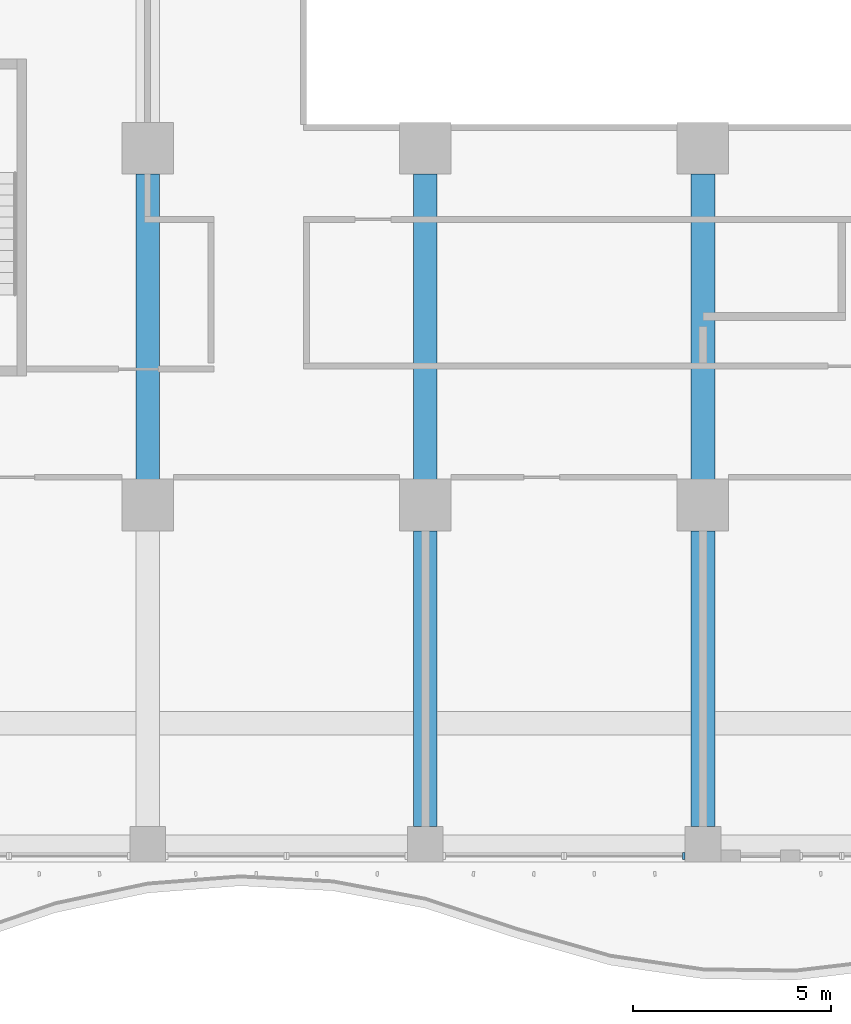
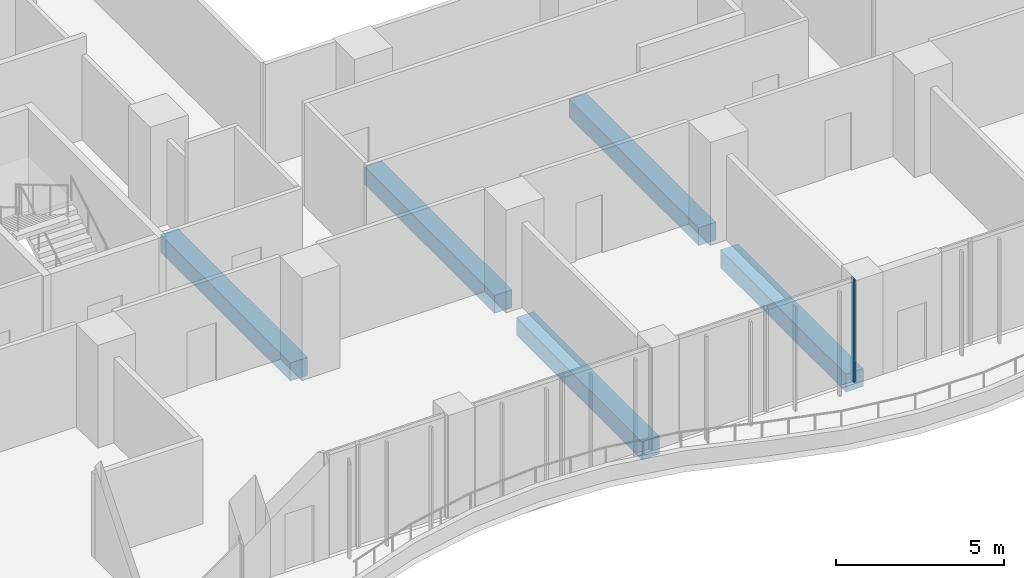
# One storey, part 4 of 27: 5 beams, 1 member, 1 element without a shape of its own.
"""IFC4 building model written with IfcOpenShell, lengths in metres."""

from ifc_helpers import new_model, si_unit, direction, frame, origin, origin_2d, place, context, subcontext, project, spatial, rectangle, extrude, source, transform, mapped, material, material_profile, profile_set, type_object, element, aggregate, save


model = new_model("IFC4")

# Units and contexts
model_context = context("Model", 3, precision=1e-05, world=origin(), true_north=direction((0.0, 1.0)))
body_context = subcontext(model_context, "Body", "Model", "MODEL_VIEW")
ifc_project = project(units=[si_unit("LENGTHUNIT", "METRE"), si_unit("AREAUNIT", "SQUARE_METRE"), si_unit("VOLUMEUNIT", "CUBIC_METRE"), si_unit("PLANEANGLEUNIT", "RADIAN"), si_unit("MASSUNIT", "GRAM", prefix="KILO")], contexts=[model_context])

# Site, building, storey
site_placement = place(None, origin())
site = spatial("IfcSite", under=ifc_project, at=site_placement, CompositionType="ELEMENT")
building_placement = place(site_placement, origin())
building = spatial("IfcBuilding", under=site, at=building_placement, Name="Kilnfold Tower and Market Hall", CompositionType="ELEMENT")
storey_placement = place(building_placement, frame((0.0, 0.0, 51.0)))
storey = spatial("IfcBuildingStorey", under=building, at=storey_placement, Name="L11", CompositionType="ELEMENT", Elevation=51.0)

# Beams
ifc_material_1 = material(Name="Concrete C45", Category="concrete")
ifc_material_profile_1 = material_profile(ifc_material_1, rectangle(XDim=0.60009765625, YDim=0.64990234375, at=origin_2d()), Name="RC 600x650")
ifc_profile_set_1 = profile_set([ifc_material_profile_1], Name="Concrete C45")
beam_type = type_object("IfcBeamType", Name="BEAM 600X650 C45", PredefinedType="BEAM", material=ifc_profile_set_1)
shared_shape_1 = source(origin(), body_context, "Body", "SweptSolid", [
    extrude(rectangle(XDim=0.60009765625, YDim=0.64990234375, at=origin_2d()), origin(), (0.0, 0.0, 1.0), 7.4501953125),
])
for number, where, z_axis, x_axis, name in (
    (1, (-3.5, -27.10009765625, -0.60498046875), (0.0, 1.0, 0.0), (-1.0, 0.0, 0.0), "Beam BB650-B1.43"),
    (2, (3.5, -27.10009765625, -0.60498046875), (0.0, 1.0, 0.0), (-1.0, 0.0, 0.0), "Beam BB650-B1.45"),
):
    element("IfcBeam", number, at=place(storey_placement, frame(where, z_axis=z_axis, x_axis=x_axis)), inside=storey, type_object=beam_type, Name=name, PredefinedType="BEAM", context=body_context, shape_type="MappedRepresentation", body=[
        mapped(shared_shape_1, transform((0.0, 0.0, 0.0))),
    ])
shared_shape_2 = source(origin(), body_context, "Body", "SweptSolid", [
    extrude(rectangle(XDim=0.60009765625, YDim=0.64990234375, at=origin_2d()), origin(), (0.0, 0.0, 1.0), 7.7001953125),
])
for number, where, z_axis, x_axis, name in (
    (3, (-10.5, -18.35009765625, -0.60498046875), (0.0, 1.0, 0.0), (-1.0, 0.0, 0.0), "Beam BB650-B1.41"),
    (4, (-3.5, -18.35009765625, -0.60498046875), (0.0, 1.0, 0.0), (-1.0, 0.0, 0.0), "Beam BB650-B1.44"),
    (5, (3.5, -18.35009765625, -0.60498046875), (0.0, 1.0, 0.0), (-1.0, 0.0, 0.0), "Beam BB650-B1.46"),
):
    element("IfcBeam", number, at=place(storey_placement, frame(where, z_axis=z_axis, x_axis=x_axis)), inside=storey, type_object=beam_type, Name=name, PredefinedType="BEAM", context=body_context, shape_type="MappedRepresentation", body=[
        mapped(shared_shape_2, transform((0.0, 0.0, 0.0))),
    ])

# Curtain wall, member
ifc_material_2 = material(Name="Aluminium and double glazing", Category="aluminium")
curtain_wall_type = type_object("IfcCurtainWallType", Name="CW OF1 VALLEY GLAZING", PredefinedType="NOTDEFINED", material=ifc_material_2)
curtain_wall_placement = place(storey_placement, origin())
curtain_wall = element("IfcCurtainWall", 6, at=curtain_wall_placement, inside=storey, type_object=curtain_wall_type, Name="Curtain wall CW1 L11 S", PredefinedType="NOTDEFINED")
ifc_material_3 = material(Name="Aluminium", Category="aluminium")
ifc_material_profile_2 = material_profile(ifc_material_3, rectangle(XDim=0.06005859375, YDim=0.179931640625, at=origin_2d()), Name="MULLION 60x180")
ifc_profile_set_2 = profile_set([ifc_material_profile_2], Name="Aluminium")
member_type = type_object("IfcMemberType", Name="MULLION 60X180", PredefinedType="MULLION", material=ifc_profile_set_2)
shared_shape_3 = source(origin(), body_context, "Body", "SweptSolid", [
    extrude(rectangle(XDim=0.06005859375, YDim=0.179931640625, at=origin_2d()), origin(), (0.0, 0.0, 1.0), 3.719970703125),
])
member_placement = place(storey_placement, frame((3.02001953125, -27.85009765625, 0.0), z_axis=(0.0, 0.0, 1.0), x_axis=(1.0, 0.0, 0.0)))
member = element("IfcMember", 7, at=member_placement, type_object=member_type, Name="CW1 mullion 2", PredefinedType="MULLION", context=body_context, shape_type="MappedRepresentation", body=[
    mapped(shared_shape_3, transform((0.0, 0.0, 0.0))),
])
aggregate(curtain_wall, [member])

save(model, "model.ifc")
